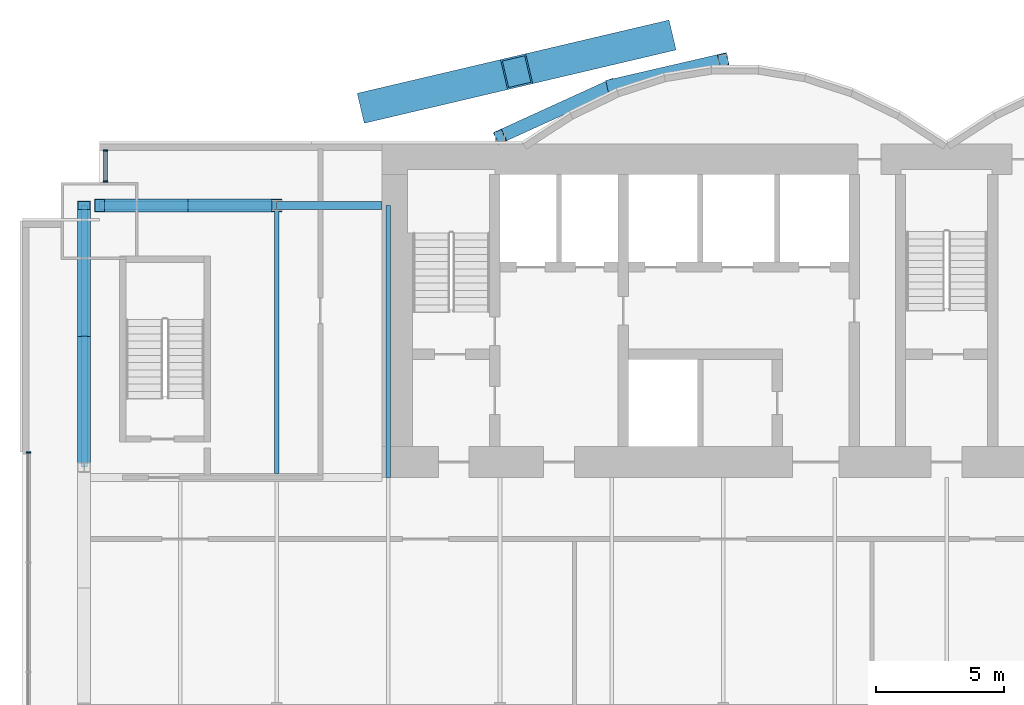
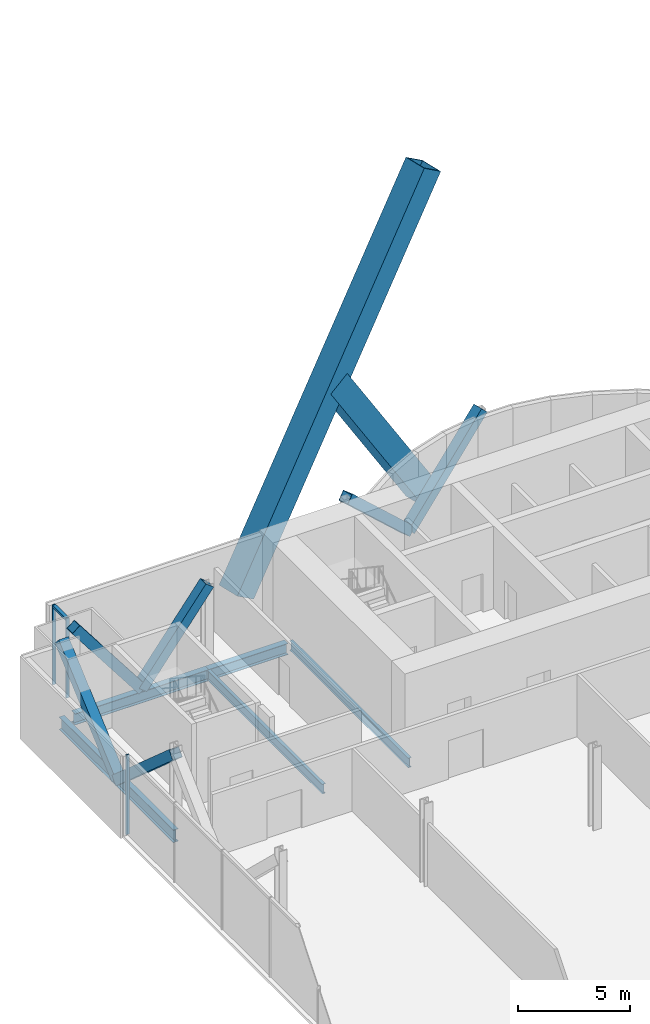
# One storey, part 12 of 23: 12 members, 5 beams, 2 elements without a shape of their own.
"""IFC4 building model written with IfcOpenShell, lengths in metres."""

from ifc_helpers import new_model, si_unit, direction, frame, origin, origin_2d, place, context, subcontext, project, spatial, rectangle, hollow_rectangle, i_section, extrude, material, material_profile, profile_set, type_object, element, aggregate, save


model = new_model("IFC4")

# Units and contexts
model_context = context("Model", 3, precision=1e-05, world=origin(), true_north=direction((0.0, 1.0)))
body_context = subcontext(model_context, "Body", "Model", "MODEL_VIEW")
ifc_project = project(units=[si_unit("LENGTHUNIT", "METRE"), si_unit("AREAUNIT", "SQUARE_METRE"), si_unit("VOLUMEUNIT", "CUBIC_METRE"), si_unit("PLANEANGLEUNIT", "RADIAN"), si_unit("MASSUNIT", "GRAM", prefix="KILO")], contexts=[model_context])

# Site, building, storey
site_placement = place(None, origin())
site = spatial("IfcSite", under=ifc_project, at=site_placement, CompositionType="ELEMENT")
building_placement = place(site_placement, origin())
building = spatial("IfcBuilding", under=site, at=building_placement, Name="Bicima Exchange Tower", CompositionType="ELEMENT")
storey_placement = place(building_placement, frame((0.0, 0.0, 53.0)))
storey = spatial("IfcBuildingStorey", under=building, at=storey_placement, Name="L10", CompositionType="ELEMENT", Elevation=53.0)

# Curtain wall, member
ifc_material_1 = material(Name="Anodised bronze aluminium", Category="aluminium")
curtain_wall_type_1 = type_object("IfcCurtainWallType", Name="End face glass wall", PredefinedType="NOTDEFINED", material=ifc_material_1)
curtain_wall_1_placement = place(storey_placement, origin())
curtain_wall_1 = element("IfcCurtainWall", 1, at=curtain_wall_1_placement, inside=storey, type_object=curtain_wall_type_1, Name="End face glass wall L10 run 2", PredefinedType="NOTDEFINED")
ifc_material_profile_1 = material_profile(ifc_material_1, rectangle(XDim=0.159912109375, YDim=0.06005859375, at=origin_2d()))
ifc_profile_set_1 = profile_set([ifc_material_profile_1], Name="Anodised bronze aluminium")
member_type_1 = type_object("IfcMemberType", Name="End face glass wall mullion 60 x 160", PredefinedType="MULLION", material=ifc_profile_set_1)
member_1_placement = place(storey_placement, frame((-35.77001953125, -12.030029296875, 0.0), z_axis=(0.0, 0.0, 1.0), x_axis=(1.0, 0.0, 0.0)))
member_1 = element("IfcMember", 2, at=member_1_placement, type_object=member_type_1, Name="End face glass wall mullion 1", PredefinedType="MULLION", context=body_context, shape_type="SweptSolid", body=[
    extrude(rectangle(XDim=0.159912109375, YDim=0.06005859375, at=origin_2d()), origin(), (0.0, 0.0, 1.0), 4.35009765625),
])
aggregate(curtain_wall_1, [member_1])

# Beam
ifc_material_2 = material(Name="Steel ASTM A992 Gr 50", Category="steel")
ifc_material_profile_2 = material_profile(ifc_material_2, i_section(OverallWidth=0.256591796875, OverallDepth=0.693359375, WebThickness=0.014404296875, FlangeThickness=0.023681640625, at=origin_2d()))
ifc_profile_set_2 = profile_set([ifc_material_profile_2], Name="Steel ASTM A992 Gr 50")
beam_type_1 = type_object("IfcBeamType", Name="End girder W27x114", PredefinedType="BEAM", material=ifc_profile_set_2)
beam_1_placement = place(storey_placement, frame((-33.60009765625, -2.39990234375, -0.49658203125), z_axis=(0.0, -1.0, 0.0), x_axis=(1.0, 0.0, 0.0)))
element("IfcBeam", 3, at=beam_1_placement, inside=storey, type_object=beam_type_1, Name="End girder", PredefinedType="BEAM", context=body_context, shape_type="SweptSolid", body=[
    extrude(i_section(OverallWidth=0.256591796875, OverallDepth=0.693359375, WebThickness=0.014404296875, FlangeThickness=0.023681640625, at=origin_2d()), origin(), (0.0, 0.0, 1.0), 10.2001953125),
])

# Members
ifc_material_3 = material(Name="Steel ASTM A572 Gr 50", Category="steel")
ifc_material_profile_3 = material_profile(ifc_material_3, hollow_rectangle(XDim=1.199951171875, YDim=1.199951171875, WallThickness=0.070068359375, at=origin_2d()))
ifc_profile_set_3 = profile_set([ifc_material_profile_3], Name="Steel ASTM A572 Gr 50")
member_type_2 = type_object("IfcMemberType", Name="Exo mega brace BOX 1200x1200x70", PredefinedType="BRACE", material=ifc_profile_set_3)
member_2_placement = place(storey_placement, frame((-22.333251953125, 1.5, 0.300048828125), z_axis=(0.526277861717, 0.123716375206, 0.841264447586), x_axis=(-0.228840031766, 0.973464041381, 0.0)))
element("IfcMember", 4, at=member_2_placement, inside=storey, type_object=member_type_2, Name="Exo mega brace rear", PredefinedType="BRACE", context=body_context, shape_type="SweptSolid", body=[
    extrude(hollow_rectangle(XDim=1.199951171875, YDim=1.199951171875, WallThickness=0.070068359375, at=origin_2d()), origin(), (0.0, 0.0, 1.0), 21.2177734375),
])
member_3_placement = place(storey_placement, frame((-11.166748046875, 4.125, 0.300048828125), z_axis=(-0.526272767444, -0.123715177654, 0.841267810549), x_axis=(0.228840031766, -0.973464041381, 0.0)))
element("IfcMember", 5, at=member_3_placement, inside=storey, type_object=member_type_2, Name="Exo mega brace rear", PredefinedType="BRACE", context=body_context, shape_type="SweptSolid", body=[
    extrude(hollow_rectangle(XDim=1.199951171875, YDim=1.199951171875, WallThickness=0.070068359375, at=origin_2d()), origin(), (0.0, 0.0, 1.0), 10.609130859375),
])

# Beams
ifc_material_profile_4 = material_profile(ifc_material_2, i_section(OverallWidth=0.165771484375, OverallDepth=0.5283203125, WebThickness=0.009765625, FlangeThickness=0.013671875, at=origin_2d()))
ifc_profile_set_4 = profile_set([ifc_material_profile_4], Name="Steel ASTM A992 Gr 50")
beam_type_2 = type_object("IfcBeamType", Name="Floor beam W21x50", PredefinedType="JOIST", material=ifc_profile_set_4)
beam_2_placement = place(storey_placement, frame((-26.10009765625, -2.5625, -0.414306640625), z_axis=(0.0, -1.0, 0.0), x_axis=(1.0, 0.0, 0.0)))
element("IfcBeam", 6, at=beam_2_placement, inside=storey, type_object=beam_type_2, Name="Floor beam", PredefinedType="JOIST", context=body_context, shape_type="SweptSolid", body=[
    extrude(i_section(OverallWidth=0.165771484375, OverallDepth=0.5283203125, WebThickness=0.009765625, FlangeThickness=0.013671875, at=origin_2d()), origin(), (0.0, 0.0, 1.0), 10.28515625),
])
beam_3_placement = place(storey_placement, frame((-21.75, -2.39990234375, -0.414306640625), z_axis=(0.0, -1.0, 0.0), x_axis=(1.0, 0.0, 0.0)))
element("IfcBeam", 7, at=beam_3_placement, inside=storey, type_object=beam_type_2, Name="Floor beam", PredefinedType="JOIST", context=body_context, shape_type="SweptSolid", body=[
    extrude(i_section(OverallWidth=0.165771484375, OverallDepth=0.5283203125, WebThickness=0.009765625, FlangeThickness=0.013671875, at=origin_2d()), origin(), (0.0, 0.0, 1.0), 10.60009765625),
])

# Curtain wall, members
curtain_wall_type_2 = type_object("IfcCurtainWallType", Name="Front glass wall", PredefinedType="NOTDEFINED", material=ifc_material_1)
curtain_wall_2_placement = place(storey_placement, origin())
curtain_wall_2 = element("IfcCurtainWall", 8, at=curtain_wall_2_placement, inside=storey, type_object=curtain_wall_type_2, Name="Front glass wall L10 run 1", PredefinedType="NOTDEFINED")
member_type_3 = type_object("IfcMemberType", Name="Front glass wall mullion 60 x 160", PredefinedType="MULLION", material=ifc_profile_set_1)
member_4_placement = place(storey_placement, frame((-32.77001953125, -0.260009765625, 0.0), z_axis=(0.0, 0.0, 1.0), x_axis=(1.0, 0.0, 0.0)))
member_4 = element("IfcMember", 9, at=member_4_placement, type_object=member_type_3, Name="Front glass wall mullion 1", PredefinedType="MULLION", context=body_context, shape_type="SweptSolid", body=[
    extrude(rectangle(XDim=0.159912109375, YDim=0.06005859375, at=origin_2d()), origin(), (0.0, 0.0, 1.0), 4.35009765625),
])
member_5_placement = place(storey_placement, frame((-32.77001953125, -1.469970703125, 0.0), z_axis=(0.0, 0.0, 1.0), x_axis=(1.0, 0.0, 0.0)))
member_5 = element("IfcMember", 10, at=member_5_placement, type_object=member_type_3, Name="Front glass wall mullion 2", PredefinedType="MULLION", context=body_context, shape_type="SweptSolid", body=[
    extrude(rectangle(XDim=0.159912109375, YDim=0.06005859375, at=origin_2d()), origin(), (0.0, 0.0, 1.0), 4.35009765625),
])
ifc_material_profile_5 = material_profile(ifc_material_1, rectangle(XDim=0.159912109375, YDim=0.139892578125, at=origin_2d()))
ifc_profile_set_5 = profile_set([ifc_material_profile_5], Name="Anodised bronze aluminium")
member_type_4 = type_object("IfcMemberType", Name="Front glass wall transom 140 x 160", PredefinedType="USERDEFINED", material=ifc_profile_set_5)
member_6_placement = place(storey_placement, frame((-32.77001953125, -0.2900390625, 4.280029296875), z_axis=(0.0, -1.0, 0.0), x_axis=(1.0, 0.0, 0.0)))
member_6 = element("IfcMember", 11, at=member_6_placement, type_object=member_type_4, Name="Front glass wall transom 1.1", ObjectType="TRANSOM", PredefinedType="USERDEFINED", context=body_context, shape_type="SweptSolid", body=[
    extrude(rectangle(XDim=0.159912109375, YDim=0.139892578125, at=origin_2d()), origin(), (0.0, 0.0, 1.0), 1.14990234375),
])
aggregate(curtain_wall_2, [member_4, member_5, member_6])

# Members
ifc_material_profile_6 = material_profile(ifc_material_3, hollow_rectangle(XDim=0.508056640625, YDim=0.508056640625, WallThickness=0.017822265625, at=origin_2d()))
ifc_profile_set_6 = profile_set([ifc_material_profile_6], Name="Steel ASTM A572 Gr 50")
member_type_5 = type_object("IfcMemberType", Name="Mega brace HSS20x20x3/4", PredefinedType="BRACE", material=ifc_profile_set_6)
member_7_placement = place(storey_placement, frame((-13.050048828125, 2.262451171875, 0.0), z_axis=(0.686212303743, 0.158786245837, 0.709858860848), x_axis=(-0.225438503722, 0.974257399787, 0.0)))
element("IfcMember", 12, at=member_7_placement, inside=storey, type_object=member_type_5, Name="Mega brace rexo", PredefinedType="BRACE", context=body_context, shape_type="SweptSolid", body=[
    extrude(hollow_rectangle(XDim=0.508056640625, YDim=0.508056640625, WallThickness=0.017822265625, at=origin_2d()), origin(), (0.0, 0.0, 1.0), 6.33935546875),
])
member_8_placement = place(storey_placement, frame((-13.050048828125, 2.262451171875, 0.0), z_axis=(-0.662507516739, -0.302231638101, 0.685375683254), x_axis=(0.415045223819, -0.909800781592, 0.0)))
element("IfcMember", 13, at=member_8_placement, inside=storey, type_object=member_type_5, Name="Mega brace rexo", PredefinedType="BRACE", context=body_context, shape_type="SweptSolid", body=[
    extrude(hollow_rectangle(XDim=0.508056640625, YDim=0.508056640625, WallThickness=0.017822265625, at=origin_2d()), origin(), (0.0, 0.0, 1.0), 6.565673828125),
])
for number, where, z_axis, x_axis, name in (
    (14, (-29.550048828125, -2.39990234375, 0.0), (0.608426120198, 0.0, 0.793610519248), (0.0, 1.0, 0.0), "Mega brace rear"),
    (15, (-29.550048828125, -2.39990234375, 0.0), (-0.608426120198, 0.0, 0.793610519248), (0.0, -1.0, 0.0), "Mega brace rear"),
):
    element("IfcMember", number, at=place(storey_placement, frame(where, z_axis=z_axis, x_axis=x_axis)), inside=storey, type_object=member_type_5, Name=name, PredefinedType="BRACE", context=body_context, shape_type="SweptSolid", body=[
        extrude(hollow_rectangle(XDim=0.508056640625, YDim=0.508056640625, WallThickness=0.017822265625, at=origin_2d()), origin(), (0.0, 0.0, 1.0), 5.670166015625),
    ])
for number, where, z_axis, x_axis, name in (
    (16, (-33.60009765625, -7.5, -0.49658203125), (0.0, -0.749844140428, 0.661614513948), (1.0, 0.0, 0.0), "Mega brace west end"),
    (17, (-33.60009765625, -7.5, -0.49658203125), (0.0, 0.749844140428, 0.661614513948), (-1.0, 0.0, 0.0), "Mega brace west end"),
):
    element("IfcMember", number, at=place(storey_placement, frame(where, z_axis=z_axis, x_axis=x_axis)), inside=storey, type_object=member_type_5, Name=name, PredefinedType="BRACE", context=body_context, shape_type="SweptSolid", body=[
        extrude(hollow_rectangle(XDim=0.508056640625, YDim=0.508056640625, WallThickness=0.017822265625, at=origin_2d()), origin(), (0.0, 0.0, 1.0), 6.801513671875),
    ])

# Beams
ifc_material_profile_7 = material_profile(ifc_material_2, i_section(OverallWidth=0.3251953125, OverallDepth=0.612060546875, WebThickness=0.0126953125, FlangeThickness=0.01904296875, at=origin_2d()))
ifc_profile_set_7 = profile_set([ifc_material_profile_7], Name="Steel ASTM A992 Gr 50")
beam_type_3 = type_object("IfcBeamType", Name="Rear girder W24x104", PredefinedType="BEAM", material=ifc_profile_set_7)
beam_4_placement = place(storey_placement, frame((-22.0, -2.39990234375, -0.4560546875), z_axis=(-1.0, 0.0, 0.0), x_axis=(0.0, -1.0, 0.0)))
element("IfcBeam", 18, at=beam_4_placement, inside=storey, type_object=beam_type_3, Name="Rear girder", PredefinedType="BEAM", context=body_context, shape_type="SweptSolid", body=[
    extrude(i_section(OverallWidth=0.3251953125, OverallDepth=0.612060546875, WebThickness=0.0126953125, FlangeThickness=0.01904296875, at=origin_2d()), origin(), (0.0, 0.0, 1.0), 4.10009765625),
])
beam_5_placement = place(storey_placement, frame((-26.10009765625, -2.39990234375, -0.4560546875), z_axis=(-1.0, 0.0, 0.0), x_axis=(0.0, -1.0, 0.0)))
element("IfcBeam", 19, at=beam_5_placement, inside=storey, type_object=beam_type_3, Name="Rear girder", PredefinedType="BEAM", context=body_context, shape_type="SweptSolid", body=[
    extrude(i_section(OverallWidth=0.3251953125, OverallDepth=0.612060546875, WebThickness=0.0126953125, FlangeThickness=0.01904296875, at=origin_2d()), origin(), (0.0, 0.0, 1.0), 6.89990234375),
])

save(model, "model.ifc")
